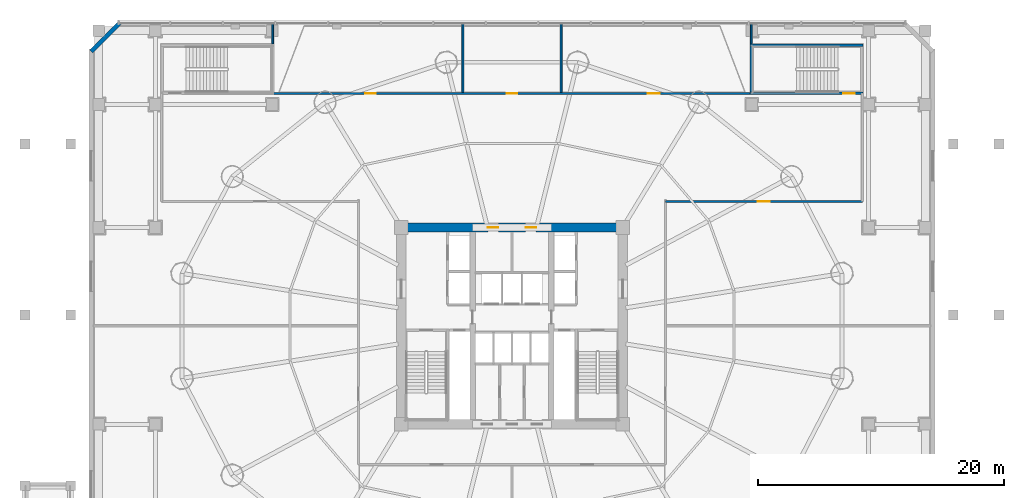
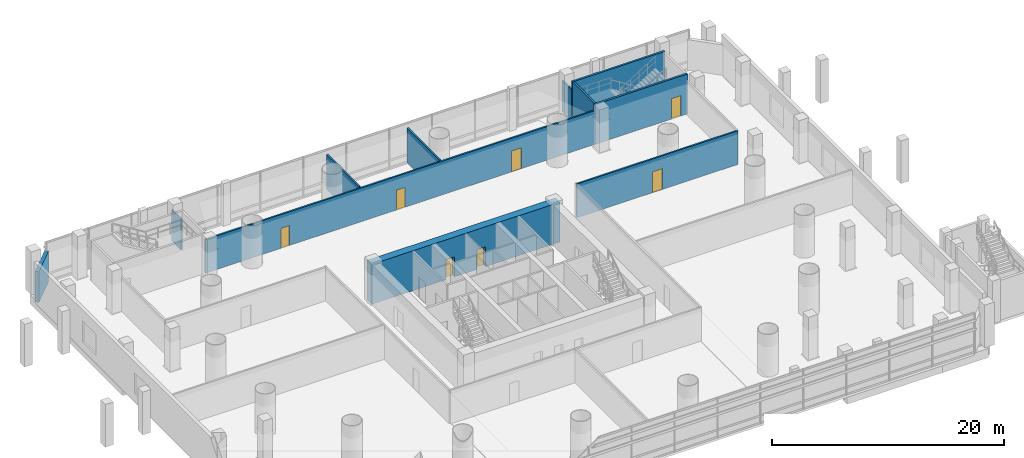
# One storey, part 23 of 36: 11 walls, 7 doors, 7 openings.
"""IFC4 building model written with IfcOpenShell, lengths in metres."""

from ifc_helpers import new_model, si_unit, direction, frame, frame_2d, origin, place, context, subcontext, project, spatial, rectangle, extrude, source, transform, mapped, material, layer, layer_set, type_object, element, fill, save


model = new_model("IFC4")

# Units and contexts
model_context = context("Model", 3, precision=1e-05, world=origin(), true_north=direction((-0.2419218956, 0.970295726276)))
body_context = subcontext(model_context, "Body", "Model", "MODEL_VIEW")
ifc_project = project(units=[si_unit("LENGTHUNIT", "METRE"), si_unit("AREAUNIT", "SQUARE_METRE"), si_unit("VOLUMEUNIT", "CUBIC_METRE"), si_unit("PLANEANGLEUNIT", "RADIAN"), si_unit("MASSUNIT", "GRAM", prefix="KILO")], contexts=[model_context])

# Site, building, storey
site_placement = place(None, origin())
site = spatial("IfcSite", under=ifc_project, at=site_placement, CompositionType="ELEMENT")
building_placement = place(site_placement, origin())
building = spatial("IfcBuilding", under=site, at=building_placement, Name="Cobrevalo Terracotta Tower", CompositionType="ELEMENT")
storey_placement = place(building_placement, frame((0.0, 0.0, 9.89990234375)))
storey = spatial("IfcBuildingStorey", under=building, at=storey_placement, Name="L02", CompositionType="ELEMENT", Elevation=9.89990234375)

# Wall
ifc_material_1 = material(Name="Concrete C45", Category="concrete")
ifc_layer_1 = layer(ifc_material_1, 0.35009765625)
ifc_layer_set_1 = layer_set([ifc_layer_1], Name="Concrete C45")
wall_type_1 = type_object("IfcWallType", Name="Board-marked precast architectural concrete facade wall 350 mm", PredefinedType="SOLIDWALL", material=ifc_layer_set_1)
wall_1_placement = place(storey_placement, frame((6.080078125, 51.39990234375, 0.0), z_axis=(0.0, 0.0, 1.0), x_axis=(-0.707144639935, -0.707068920411, 0.0)))
element("IfcWall", 1, at=wall_1_placement, inside=storey, type_object=wall_type_1, Name="L02 chamfered corner pier NW", PredefinedType="SOLIDWALL", context=body_context, shape_type="SweptSolid", body=[
    extrude(rectangle(XDim=3.224365234375, YDim=0.35009765625, at=frame_2d((1.6123046875, 0.0))), origin(), (0.0, 0.0, 1.0), 3.235107421875),
])

# Wall, openings, doors
ifc_material_2 = material(Name="Concrete C60", Category="concrete")
ifc_layer_2 = layer(ifc_material_2, 0.75)
ifc_layer_set_2 = layer_set([ifc_layer_2], Name="Concrete C60")
wall_type_2 = type_object("IfcWallType", Name="Core shear wall 750 mm Concrete C60", PredefinedType="SHEAR", material=ifc_layer_set_2)
wall_2_placement = place(storey_placement, frame((28.625, 34.800048828125, 0.0), z_axis=(0.0, 0.0, 1.0), x_axis=(1.0, 0.0, 0.0)))
wall_2 = element("IfcWall", 2, at=wall_2_placement, inside=storey, type_object=wall_type_2, Name="L02 north core shear wall", PredefinedType="SHEAR", context=body_context, shape_type="SweptSolid", body=[
    extrude(rectangle(XDim=18.75, YDim=0.75, at=frame_2d((9.375, 0.0))), origin(), (0.0, 0.0, 1.0), 4.2001953125),
])
opening_1_placement = place(wall_2_placement, frame((7.407470703125, 0.0, 0.0)))
opening_1 = element("IfcOpeningElement", 3, at=opening_1_placement, cuts=wall_2, Name="Opening ID-07", PredefinedType="OPENING", context=body_context, shape_type="SweptSolid", body=[
    extrude(rectangle(XDim=0.860107421875, YDim=2.10009765625, at=frame_2d((0.43017578125, 1.050048828125))), frame((0.0, 0.385009765625, 0.0), z_axis=(0.0, -1.0, 0.0), x_axis=(1.0, 0.0, 0.0)), (0.0, 0.0, 1.0), 0.77001953125),
])
opening_2_placement = place(wall_2_placement, frame((10.487548828125, 0.0, 0.0)))
opening_2 = element("IfcOpeningElement", 4, at=opening_2_placement, cuts=wall_2, Name="Opening ID-22", PredefinedType="OPENING", context=body_context, shape_type="SweptSolid", body=[
    extrude(rectangle(XDim=0.85009765625, YDim=2.10009765625, at=frame_2d((0.425048828125, 1.050048828125))), frame((0.0, 0.385009765625, 0.0), z_axis=(0.0, -1.0, 0.0), x_axis=(1.0, 0.0, 0.0)), (0.0, 0.0, 1.0), 0.77001953125),
])
ifc_material_3 = material(Name="Powder-coated steel", Category="steel")
door_type_1 = type_object("IfcDoorType", Name="Riser shaft & meter closet fire access door 850x2100 EI 60", OperationType="NOTDEFINED", PredefinedType="DOOR", material=ifc_material_3)
shared_shape_1 = source(origin(), body_context, "Body", "SweptSolid", [
    extrude(rectangle(XDim=0.85009765625, YDim=2.10009765625, at=frame_2d((0.425048828125, 1.050048828125))), frame((0.0, 0.02490234375, 0.0), z_axis=(0.0, -1.0, 0.0), x_axis=(1.0, 0.0, 0.0)), (0.0, 0.0, 1.0), 0.050048828125),
])
door_1_placement = place(opening_2_placement, frame((0.85009765625, 0.0, 0.0), z_axis=(0.0, 0.0, 1.0), x_axis=(-1.0, 0.0, 0.0)))
door_1 = element("IfcDoor", 5, at=door_1_placement, inside=storey, type_object=door_type_1, Name="L02 core north service door Floor Telecom and Metering Plant", OperationType="SINGLE_SWING_RIGHT", OverallHeight=2.10009765625, OverallWidth=0.85009765625, PredefinedType="DOOR", context=body_context, shape_type="MappedRepresentation", body=[
    mapped(shared_shape_1, transform((0.0, 0.0, 0.0), scale=1.0)),
])
fill(opening_2, door_1)
ifc_material_4 = material(Name="Fire-rated moisture-sealed timber", Category="wood")
door_type_2 = type_object("IfcDoorType", Name="Core & podium fire-rated accessible WC door 860x2100 EI 60", OperationType="NOTDEFINED", PredefinedType="DOOR", material=ifc_material_4)
shared_shape_2 = source(origin(), body_context, "Body", "SweptSolid", [
    extrude(rectangle(XDim=0.860107421875, YDim=2.10009765625, at=frame_2d((0.43017578125, 1.050048828125))), frame((0.0, 0.02490234375, 0.0), z_axis=(0.0, -1.0, 0.0), x_axis=(1.0, 0.0, 0.0)), (0.0, 0.0, 1.0), 0.050048828125),
])
door_2_placement = place(opening_1_placement, frame((0.860107421875, 0.0, 0.0), z_axis=(0.0, 0.0, 1.0), x_axis=(-1.0, 0.0, 0.0)))
door_2 = element("IfcDoor", 6, at=door_2_placement, inside=storey, type_object=door_type_2, Name="L02 core north service door Core Accessible Toilet WC", OperationType="SINGLE_SWING_LEFT", OverallHeight=2.10009765625, OverallWidth=0.860107421875, PredefinedType="DOOR", context=body_context, shape_type="MappedRepresentation", body=[
    mapped(shared_shape_2, transform((0.0, 0.0, 0.0), scale=1.0)),
])
fill(opening_1, door_2)

# Wall, opening, door
ifc_material_5 = material(Name="Gypsum board on steel stud", Category="steel")
ifc_layer_3 = layer(ifc_material_5, 0.159912109375)
ifc_layer_set_3 = layer_set([ifc_layer_3], Name="Gypsum board on steel stud")
wall_type_3 = type_object("IfcWallType", Name="Fire-rated corridor acoustic partition wall 160 mm", PredefinedType="PARTITIONING", material=ifc_layer_set_3)
wall_3_placement = place(storey_placement, frame((50.47998046875, 36.919921875, 0.0), z_axis=(0.0, 0.0, 1.0), x_axis=(1.0, 0.0, 0.0)))
wall_3 = element("IfcWall", 7, at=wall_3_placement, inside=storey, type_object=wall_type_3, Name="L02 interior partition IW-L02-PC-SE", PredefinedType="PARTITIONING", context=body_context, shape_type="SweptSolid", body=[
    extrude(rectangle(XDim=16.0, YDim=0.159912109375, at=frame_2d((8.0, 0.0))), origin(), (0.0, 0.0, 1.0), 3.550048828125),
])
opening_3_placement = place(wall_3_placement, frame((7.510009765625, 0.0, 0.0)))
opening_3 = element("IfcOpeningElement", 8, at=opening_3_placement, cuts=wall_3, Name="Opening ID-05", PredefinedType="OPENING", context=body_context, shape_type="SweptSolid", body=[
    extrude(rectangle(XDim=0.97998046875, YDim=2.199951171875, at=frame_2d((0.489990234375, 1.10009765625))), frame((0.0, 0.08984375, 0.0), z_axis=(0.0, -1.0, 0.0), x_axis=(1.0, 0.0, 0.0)), (0.0, 0.0, 1.0), 0.179931640625),
])
ifc_material_6 = material(Name="Solid hardwood timber", Category="wood")
door_type_3 = type_object("IfcDoorType", Name="Residence entrance fire-rated acoustic timber door 980x2200 EI 60", OperationType="NOTDEFINED", PredefinedType="DOOR", material=ifc_material_6)
shared_shape_3 = source(origin(), body_context, "Body", "SweptSolid", [
    extrude(rectangle(XDim=0.97998046875, YDim=2.199951171875, at=frame_2d((0.489990234375, 1.10009765625))), frame((0.0, 0.02490234375, 0.0), z_axis=(0.0, -1.0, 0.0), x_axis=(1.0, 0.0, 0.0)), (0.0, 0.0, 1.0), 0.050048828125),
])
door_3_placement = place(opening_3_placement, frame((0.97998046875, 0.0, 0.0), z_axis=(0.0, 0.0, 1.0), x_axis=(-1.0, 0.0, 0.0)))
door_3 = element("IfcDoor", 9, at=door_3_placement, inside=storey, type_object=door_type_3, Name="L02 Private Meeting Suite door", OperationType="SINGLE_SWING_LEFT", OverallHeight=2.199951171875, OverallWidth=0.97998046875, PredefinedType="DOOR", context=body_context, shape_type="MappedRepresentation", body=[
    mapped(shared_shape_3, transform((0.0, 0.0, 0.0), scale=1.0)),
])
fill(opening_3, door_3)

# Wall, openings, doors
wall_4_placement = place(storey_placement, frame((18.550048828125, 45.699951171875, 0.0), z_axis=(0.0, 0.0, 1.0), x_axis=(1.0, 0.0, 0.0)))
wall_4 = element("IfcWall", 10, at=wall_4_placement, inside=storey, type_object=wall_type_3, Name="L02 interior partition IW-L02-PC-N", PredefinedType="PARTITIONING", context=body_context, shape_type="SweptSolid", body=[
    extrude(rectangle(XDim=38.89990234375, YDim=0.159912109375, at=frame_2d((19.449951171875, 0.0))), origin(), (0.0, 0.0, 1.0), 3.550048828125),
])
opening_4_placement = place(wall_4_placement, frame((7.5048828125, 0.0, 0.0)))
opening_4 = element("IfcOpeningElement", 11, at=opening_4_placement, cuts=wall_4, Name="Opening ID-07", PredefinedType="OPENING", context=body_context, shape_type="SweptSolid", body=[
    extrude(rectangle(XDim=0.860107421875, YDim=2.10009765625, at=frame_2d((0.43017578125, 1.050048828125))), frame((0.0, 0.08984375, 0.0), z_axis=(0.0, -1.0, 0.0), x_axis=(1.0, 0.0, 0.0)), (0.0, 0.0, 1.0), 0.179931640625),
])
opening_5_placement = place(wall_4_placement, frame((19.02001953125, 0.0, 0.0)))
opening_5 = element("IfcOpeningElement", 12, at=opening_5_placement, cuts=wall_4, Name="Opening ID-07", PredefinedType="OPENING", context=body_context, shape_type="SweptSolid", body=[
    extrude(rectangle(XDim=0.860107421875, YDim=2.10009765625, at=frame_2d((0.43017578125, 1.050048828125))), frame((0.0, 0.08984375, 0.0), z_axis=(0.0, -1.0, 0.0), x_axis=(1.0, 0.0, 0.0)), (0.0, 0.0, 1.0), 0.179931640625),
])
opening_6_placement = place(wall_4_placement, frame((30.47509765625, 0.0, 0.0)))
opening_6 = element("IfcOpeningElement", 13, at=opening_6_placement, cuts=wall_4, Name="Opening ID-05", PredefinedType="OPENING", context=body_context, shape_type="SweptSolid", body=[
    extrude(rectangle(XDim=0.97998046875, YDim=2.199951171875, at=frame_2d((0.489990234375, 1.10009765625))), frame((0.0, 0.08984375, 0.0), z_axis=(0.0, -1.0, 0.0), x_axis=(1.0, 0.0, 0.0)), (0.0, 0.0, 1.0), 0.179931640625),
])
door_4_placement = place(opening_4_placement, frame((0.860107421875, 0.0, 0.0), z_axis=(0.0, 0.0, 1.0), x_axis=(-1.0, 0.0, 0.0)))
door_4 = element("IfcDoor", 14, at=door_4_placement, inside=storey, type_object=door_type_2, Name="L02 Public Restrooms door", OperationType="SINGLE_SWING_RIGHT", OverallHeight=2.10009765625, OverallWidth=0.860107421875, PredefinedType="DOOR", context=body_context, shape_type="MappedRepresentation", body=[
    mapped(shared_shape_2, transform((0.0, 0.0, 0.0), scale=1.0)),
])
fill(opening_4, door_4)
door_5_placement = place(opening_5_placement, frame((0.860107421875, 0.0, 0.0), z_axis=(0.0, 0.0, 1.0), x_axis=(-1.0, 0.0, 0.0)))
door_5 = element("IfcDoor", 15, at=door_5_placement, inside=storey, type_object=door_type_2, Name="L02 Accessible Restroom WC door", OperationType="SINGLE_SWING_LEFT", OverallHeight=2.10009765625, OverallWidth=0.860107421875, PredefinedType="DOOR", context=body_context, shape_type="MappedRepresentation", body=[
    mapped(shared_shape_2, transform((0.0, 0.0, 0.0), scale=1.0)),
])
fill(opening_5, door_5)
door_6_placement = place(opening_6_placement, frame((0.97998046875, 0.0, 0.0), z_axis=(0.0, 0.0, 1.0), x_axis=(-1.0, 0.0, 0.0)))
door_6 = element("IfcDoor", 16, at=door_6_placement, inside=storey, type_object=door_type_3, Name="L02 Podium Housekeeping Store door", OperationType="SINGLE_SWING_RIGHT", OverallHeight=2.199951171875, OverallWidth=0.97998046875, PredefinedType="DOOR", context=body_context, shape_type="MappedRepresentation", body=[
    mapped(shared_shape_3, transform((0.0, 0.0, 0.0), scale=1.0)),
])
fill(opening_6, door_6)

# Walls
for number, where, z_axis, x_axis, name in (
    (17, (34.0, 45.781982421875, 0.0), (0.0, 0.0, 1.0), (0.0, 1.0, 0.0), "L02 interior partition IW-L02-PN-1"),
    (18, (42.0, 45.781982421875, 0.0), (0.0, 0.0, 1.0), (0.0, 1.0, 0.0), "L02 interior partition IW-L02-PN-2"),
):
    element("IfcWall", number, at=place(storey_placement, frame(where, z_axis=z_axis, x_axis=x_axis)), inside=storey, type_object=wall_type_3, Name=name, PredefinedType="PARTITIONING", context=body_context, shape_type="SweptSolid", body=[
        extrude(rectangle(XDim=5.578125, YDim=0.159912109375, at=frame_2d((2.7890625, 0.0))), origin(), (0.0, 0.0, 1.0), 3.64208984375),
    ])
for number, where, z_axis, x_axis, name in (
    (19, (18.550048828125, 49.721923828125, 0.0), (0.0, 0.0, 1.0), (0.0, 1.0, 0.0), "L02 interior partition IW-L02-PN-W"),
    (20, (57.449951171875, 49.721923828125, 0.0), (0.0, 0.0, 1.0), (0.0, 1.0, 0.0), "L02 interior partition IW-L02-PN-E"),
):
    element("IfcWall", number, at=place(storey_placement, frame(where, z_axis=z_axis, x_axis=x_axis)), inside=storey, type_object=wall_type_3, Name=name, PredefinedType="PARTITIONING", context=body_context, shape_type="SweptSolid", body=[
        extrude(rectangle(XDim=1.63818359375, YDim=0.159912109375, at=frame_2d((0.819091796875, 0.0))), origin(), (0.0, 0.0, 1.0), 3.235107421875),
    ])

# Wall, opening, door
ifc_material_7 = material(Name="Concrete C50", Category="concrete")
ifc_layer_4 = layer(ifc_material_7, 0.199951171875)
ifc_layer_set_4 = layer_set([ifc_layer_4], Name="Concrete C50")
wall_type_4 = type_object("IfcWallType", Name="Structural core & podium stair-shaft RC wall 200 mm Concrete C50", PredefinedType="SOLIDWALL", material=ifc_layer_set_4)
wall_5_placement = place(storey_placement, frame((57.35009765625, 45.699951171875, 0.0), z_axis=(0.0, 0.0, 1.0), x_axis=(1.0, 0.0, 0.0)))
wall_5 = element("IfcWall", 21, at=wall_5_placement, inside=storey, type_object=wall_type_4, Name="L02 STP2 south structural shaft wall", PredefinedType="SOLIDWALL", context=body_context, shape_type="SweptSolid", body=[
    extrude(rectangle(XDim=9.199951171875, YDim=0.199951171875, at=frame_2d((4.60009765625, 0.0))), origin(), (0.0, 0.0, 1.0), 4.2001953125),
])
opening_7_placement = place(wall_5_placement, frame((7.574951171875, 0.0, 0.0)))
opening_7 = element("IfcOpeningElement", 22, at=opening_7_placement, cuts=wall_5, Name="Opening ID-04", PredefinedType="OPENING", context=body_context, shape_type="SweptSolid", body=[
    extrude(rectangle(XDim=0.949951171875, YDim=2.14990234375, at=frame_2d((0.47509765625, 1.074951171875))), frame((0.0, 0.10986328125, 0.0), z_axis=(0.0, -1.0, 0.0), x_axis=(1.0, 0.0, 0.0)), (0.0, 0.0, 1.0), 0.219970703125),
])
ifc_material_8 = material(Name="Galvanized fire-rated steel", Category="steel")
door_type_4 = type_object("IfcDoorType", Name="Stair & firefighting lobby fire door 950x2150 EI 90", OperationType="NOTDEFINED", PredefinedType="DOOR", material=ifc_material_8)
shared_shape_4 = source(origin(), body_context, "Body", "SweptSolid", [
    extrude(rectangle(XDim=0.949951171875, YDim=2.14990234375, at=frame_2d((0.47509765625, 1.074951171875))), frame((0.0, 0.02490234375, 0.0), z_axis=(0.0, -1.0, 0.0), x_axis=(1.0, 0.0, 0.0)), (0.0, 0.0, 1.0), 0.050048828125),
])
door_7_placement = place(opening_7_placement, frame((0.949951171875, 0.0, 0.0), z_axis=(0.0, 0.0, 1.0), x_axis=(-1.0, 0.0, 0.0)))
door_7 = element("IfcDoor", 23, at=door_7_placement, inside=storey, type_object=door_type_4, Name="L02 podium exit stair STP2 fire door", OperationType="SINGLE_SWING_RIGHT", OverallHeight=2.14990234375, OverallWidth=0.949951171875, PredefinedType="DOOR", context=body_context, shape_type="MappedRepresentation", body=[
    mapped(shared_shape_4, transform((0.0, 0.0, 0.0), scale=1.0)),
])
fill(opening_7, door_7)

# Walls
wall_6_placement = place(storey_placement, frame((57.35009765625, 49.6201171875, 0.0), z_axis=(0.0, 0.0, 1.0), x_axis=(1.0, 0.0, 0.0)))
element("IfcWall", 24, at=wall_6_placement, inside=storey, type_object=wall_type_4, Name="L02 STP2 north structural shaft wall", PredefinedType="SOLIDWALL", context=body_context, shape_type="SweptSolid", body=[
    extrude(rectangle(XDim=9.199951171875, YDim=0.199951171875, at=frame_2d((4.60009765625, 0.0))), origin(), (0.0, 0.0, 1.0), 4.2001953125),
])
wall_7_placement = place(storey_placement, frame((57.449951171875, 45.800048828125, 0.0), z_axis=(0.0, 0.0, 1.0), x_axis=(0.0, 1.0, 0.0)))
element("IfcWall", 25, at=wall_7_placement, inside=storey, type_object=wall_type_4, Name="L02 STP2 west structural shaft wall", PredefinedType="SOLIDWALL", context=body_context, shape_type="SweptSolid", body=[
    extrude(rectangle(XDim=3.719970703125, YDim=0.199951171875, at=frame_2d((1.85986328125, 0.0))), origin(), (0.0, 0.0, 1.0), 4.2001953125),
])

save(model, "model.ifc")
